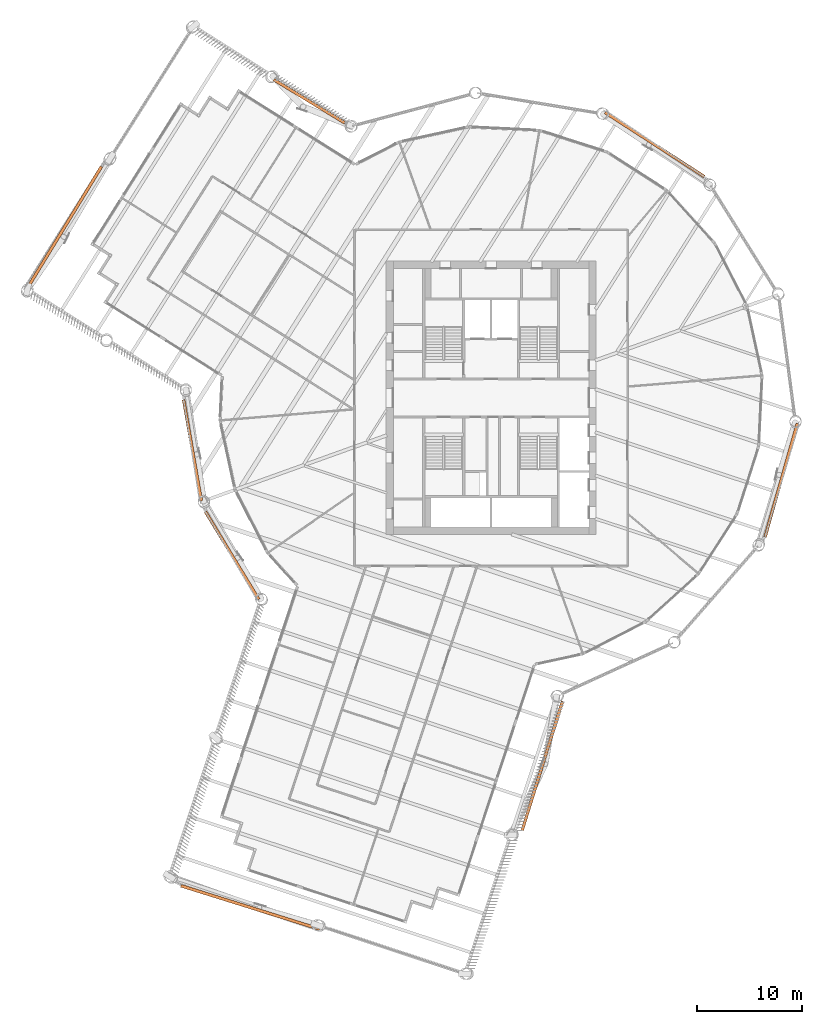
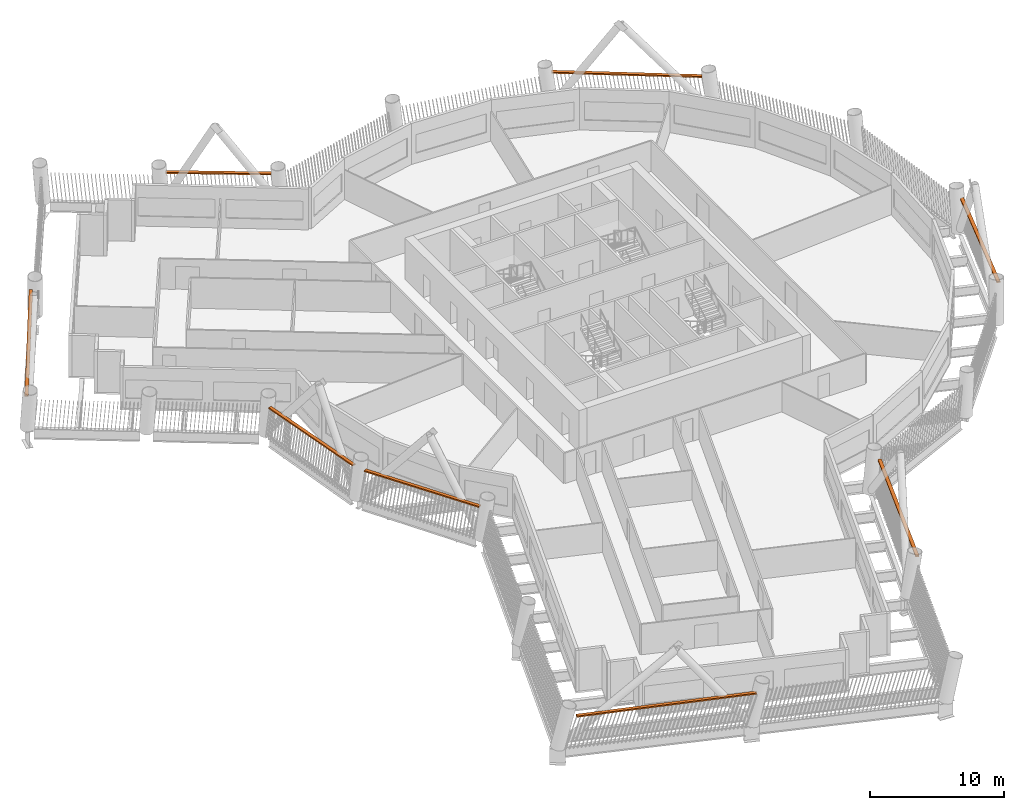
# One storey, part 22 of 22: 8 proxies.
"""IFC4 building model written with IfcOpenShell, lengths in metres."""

from ifc_helpers import new_model, si_unit, direction, frame, origin, origin_2d, place, context, subcontext, project, spatial, rectangle, extrude, material, type_object, element, save


model = new_model("IFC4")

# Units and contexts
model_context = context("Model", 3, precision=1e-05, world=origin(), true_north=direction((0.0, 1.0)))
body_context = subcontext(model_context, "Body", "Model", "MODEL_VIEW")
ifc_project = project(units=[si_unit("LENGTHUNIT", "METRE"), si_unit("AREAUNIT", "SQUARE_METRE"), si_unit("VOLUMEUNIT", "CUBIC_METRE"), si_unit("PLANEANGLEUNIT", "RADIAN"), si_unit("MASSUNIT", "GRAM", prefix="KILO")], contexts=[model_context])

# Site, building, storey
site_placement = place(None, origin())
site = spatial("IfcSite", under=ifc_project, at=site_placement, CompositionType="ELEMENT")
building_placement = place(site_placement, origin())
building = spatial("IfcBuilding", under=site, at=building_placement, Name="Tarsis Ring Headquarters", CompositionType="ELEMENT")
storey_placement = place(building_placement, frame((0.0, 0.0, 147.60009765625)))
storey = spatial("IfcBuildingStorey", under=building, at=storey_placement, Name="L33", CompositionType="ELEMENT", Elevation=147.60009765625)

# Proxies
ifc_material = material(Name="Structural steel S355", Category="steel")
building_element_proxy_type = type_object("IfcBuildingElementProxyType", Name="Screen bracket plate", PredefinedType="USERDEFINED", material=ifc_material)
proxy_1_placement = place(storey_placement, frame((-24.635986328125, -14.99365234375, 2.949951171875), z_axis=(0.0, 0.0, 1.0), x_axis=(0.519891696592, -0.854232183786, 0.0)))
element("IfcBuildingElementProxy", 1, at=proxy_1_placement, inside=storey, type_object=building_element_proxy_type, Name="Screen bracket L33-00", ObjectType="Bracket", PredefinedType="USERDEFINED", context=body_context, shape_type="SweptSolid", body=[
    extrude(rectangle(XDim=9.771728515625, YDim=0.280029296875, at=origin_2d()), origin(), (0.0, 0.0, 1.0), 0.1201171875),
])
proxy_2_placement = place(storey_placement, frame((-22.905029296875, -48.468505859375, 2.949951171875), z_axis=(0.0, 0.0, 1.0), x_axis=(0.954448871021, -0.298374517354, 0.0)))
element("IfcBuildingElementProxy", 2, at=proxy_2_placement, inside=storey, type_object=building_element_proxy_type, Name="Screen bracket L33-03", ObjectType="Bracket", PredefinedType="USERDEFINED", context=body_context, shape_type="SweptSolid", body=[
    extrude(rectangle(XDim=13.800048828125, YDim=0.280029296875, at=origin_2d()), origin(), (0.0, 0.0, 1.0), 0.1201171875),
])
proxy_3_placement = place(storey_placement, frame((4.875244140625, -34.995361328125, 2.949951171875), z_axis=(0.0, 0.0, 1.0), x_axis=(0.298374550671, 0.954448860606, 0.0)))
element("IfcBuildingElementProxy", 3, at=proxy_3_placement, inside=storey, type_object=building_element_proxy_type, Name="Screen bracket L33-06", ObjectType="Bracket", PredefinedType="USERDEFINED", context=body_context, shape_type="SweptSolid", body=[
    extrude(rectangle(XDim=12.90234375, YDim=0.280029296875, at=origin_2d()), origin(), (0.0, 0.0, 1.0), 0.1201171875),
])
for number, where, z_axis, x_axis, name in (
    (4, (27.596435546875, -7.847412109375, 2.949951171875), (0.0, 0.0, 1.0), (0.273518401328, 0.96186677047, 0.0), "Screen bracket L33-09"),
    (5, (15.561279296875, 24.103759765625, 2.949951171875), (0.0, 0.0, 1.0), (-0.84012898855, 0.542386654148, 0.0), "Screen bracket L33-12"),
):
    element("IfcBuildingElementProxy", number, at=place(storey_placement, frame(where, z_axis=z_axis, x_axis=x_axis)), inside=storey, type_object=building_element_proxy_type, Name=name, ObjectType="Bracket", PredefinedType="USERDEFINED", context=body_context, shape_type="SweptSolid", body=[
        extrude(rectangle(XDim=11.248779296875, YDim=0.280029296875, at=origin_2d()), origin(), (0.0, 0.0, 1.0), 0.1201171875),
    ])
proxy_4_placement = place(storey_placement, frame((-17.289306640625, 28.21435546875, 2.949951171875), z_axis=(0.0, 0.0, 1.0), x_axis=(-0.85391441341, 0.520413465016, 0.0)))
element("IfcBuildingElementProxy", 6, at=proxy_4_placement, inside=storey, type_object=building_element_proxy_type, Name="Screen bracket L33-15", ObjectType="Bracket", PredefinedType="USERDEFINED", context=body_context, shape_type="SweptSolid", body=[
    extrude(rectangle(XDim=7.90234375, YDim=0.280029296875, at=origin_2d()), origin(), (0.0, 0.0, 1.0), 0.1201171875),
])
proxy_5_placement = place(storey_placement, frame((-40.650390625, 16.108154296875, 2.949951171875), z_axis=(0.0, 0.0, 1.0), x_axis=(-0.520413584245, -0.853914340747, 0.0)))
element("IfcBuildingElementProxy", 7, at=proxy_5_placement, inside=storey, type_object=building_element_proxy_type, Name="Screen bracket L33-18", ObjectType="Bracket", PredefinedType="USERDEFINED", context=body_context, shape_type="SweptSolid", body=[
    extrude(rectangle(XDim=13.800048828125, YDim=0.280029296875, at=origin_2d()), origin(), (0.0, 0.0, 1.0), 0.1201171875),
])
proxy_6_placement = place(storey_placement, frame((-28.405517578125, -4.985595703125, 2.949951171875), z_axis=(0.0, 0.0, 1.0), x_axis=(0.172874933037, -0.984943783943, 0.0)))
element("IfcBuildingElementProxy", 8, at=proxy_6_placement, inside=storey, type_object=building_element_proxy_type, Name="Screen bracket L33-21", ObjectType="Bracket", PredefinedType="USERDEFINED", context=body_context, shape_type="SweptSolid", body=[
    extrude(rectangle(XDim=9.771728515625, YDim=0.280029296875, at=origin_2d()), origin(), (0.0, 0.0, 1.0), 0.1201171875),
])

save(model, "model.ifc")
